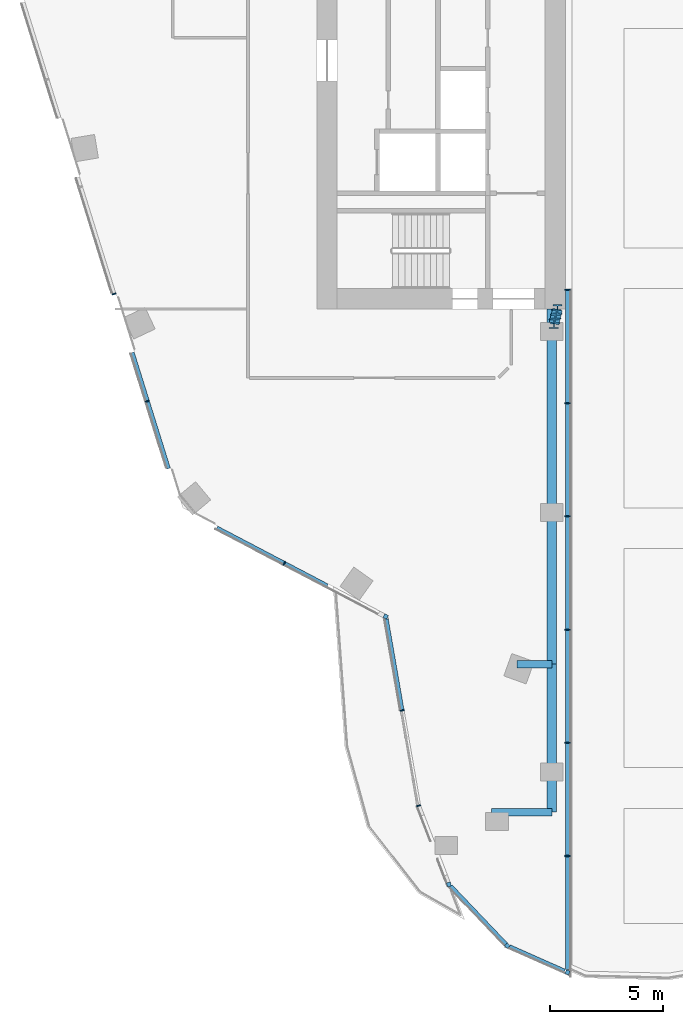
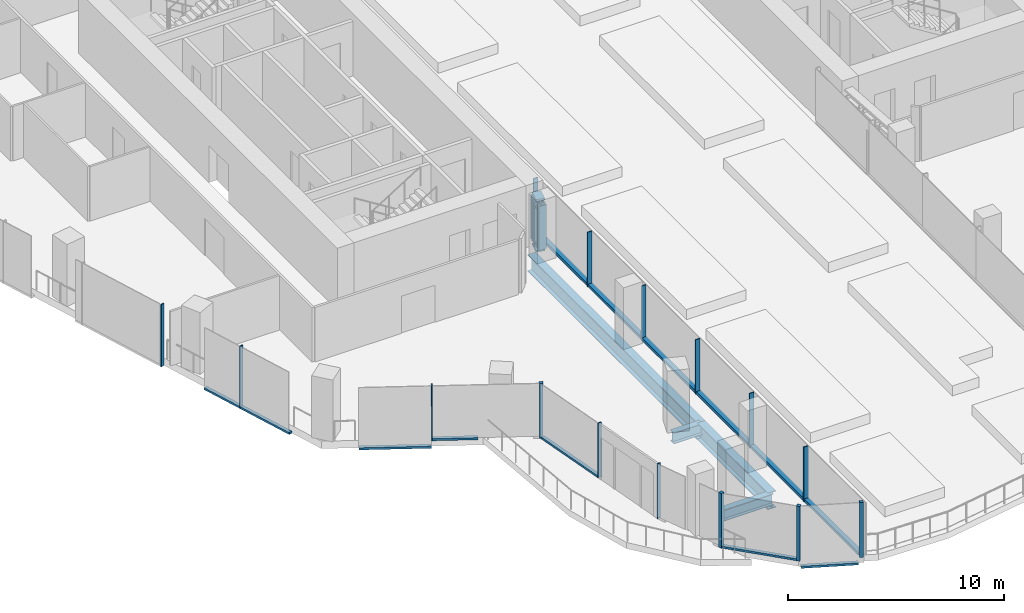
# One storey, part 2 of 26: 28 members, 4 beams, 7 elements without a shape of their own.
"""IFC4 building model written with IfcOpenShell, lengths in metres."""

from ifc_helpers import new_model, si_unit, direction, frame, origin, origin_2d, place, context, subcontext, project, spatial, rectangle, i_section, extrude, material, material_profile, profile_set, type_object, element, aggregate, save


model = new_model("IFC4")

# Units and contexts
model_context = context("Model", 3, precision=1e-05, world=origin(), true_north=direction((0.0, 1.0)))
body_context = subcontext(model_context, "Body", "Model", "MODEL_VIEW")
ifc_project = project(units=[si_unit("LENGTHUNIT", "METRE"), si_unit("AREAUNIT", "SQUARE_METRE"), si_unit("VOLUMEUNIT", "CUBIC_METRE"), si_unit("PLANEANGLEUNIT", "RADIAN"), si_unit("MASSUNIT", "GRAM", prefix="KILO")], contexts=[model_context])

# Site, building, storey
site_placement = place(None, origin())
site = spatial("IfcSite", under=ifc_project, at=site_placement, CompositionType="ELEMENT")
building_placement = place(site_placement, origin())
building = spatial("IfcBuilding", under=site, at=building_placement, Name="Orlundy Tower", CompositionType="ELEMENT")
storey_placement = place(building_placement, frame((0.0, 0.0, 253.5)))
storey = spatial("IfcBuildingStorey", under=building, at=storey_placement, Name="L67", CompositionType="ELEMENT", Elevation=253.5)

# Curtain wall, member
ifc_material_1 = material(Name="Aluminium bronze anodised", Category="aluminium")
curtain_wall_type = type_object("IfcCurtainWallType", Name="CW1 wall", PredefinedType="NOTDEFINED", material=ifc_material_1)
curtain_wall_1_placement = place(storey_placement, origin())
curtain_wall_1 = element("IfcCurtainWall", 1, at=curtain_wall_1_placement, inside=storey, type_object=curtain_wall_type, Name="CW1 run 00", PredefinedType="NOTDEFINED")
ifc_material_2 = material(Name="Aluminium bronze anodised", Category="aluminium")
ifc_material_profile_1 = material_profile(ifc_material_2, rectangle(XDim=0.179931640625, YDim=0.179931640625, at=origin_2d()), Name="CW1 corner post 180x180")
ifc_profile_set_1 = profile_set([ifc_material_profile_1], Name="Aluminium bronze anodised")
member_type_1 = type_object("IfcMemberType", Name="CW1 corner post 180x180", PredefinedType="MULLION", material=ifc_profile_set_1)
member_1_placement = place(storey_placement, frame((-15.9501953125, -25.612060546875, 0.0), z_axis=(0.0, 0.0, 1.0), x_axis=(-0.464324546988, -0.885665125804, 0.0)))
member_1 = element("IfcMember", 2, at=member_1_placement, type_object=member_type_1, Name="CW1 mullion 1", PredefinedType="MULLION", context=body_context, shape_type="SweptSolid", body=[
    extrude(rectangle(XDim=0.179931640625, YDim=0.179931640625, at=origin_2d()), origin(), (0.0, 0.0, 1.0), 3.10009765625),
])

curtain_wall_2_placement = place(storey_placement, origin())
curtain_wall_2 = element("IfcCurtainWall", 3, at=curtain_wall_2_placement, inside=storey, type_object=curtain_wall_type, Name="CW1 run 05", PredefinedType="NOTDEFINED")
member_2_placement = place(storey_placement, frame((-7.909912109375, -41.361328125, 0.0), z_axis=(0.0, 0.0, 1.0), x_axis=(-0.405432387581, -0.914125034719, 0.0)))
member_2 = element("IfcMember", 4, at=member_2_placement, type_object=member_type_1, Name="CW1 mullion 30", PredefinedType="MULLION", context=body_context, shape_type="SweptSolid", body=[
    extrude(rectangle(XDim=0.179931640625, YDim=0.179931640625, at=origin_2d()), origin(), (0.0, 0.0, 1.0), 3.10009765625),
])

curtain_wall_3_placement = place(storey_placement, origin())
curtain_wall_3 = element("IfcCurtainWall", 5, at=curtain_wall_3_placement, inside=storey, type_object=curtain_wall_type, Name="CW1 run 06", PredefinedType="NOTDEFINED")
member_3_placement = place(storey_placement, frame((-10.575927734375, -40.178955078125, 0.0), z_axis=(0.0, 0.0, 1.0), x_axis=(-0.724291875351, -0.689493494749, 0.0)))
member_3 = element("IfcMember", 6, at=member_3_placement, type_object=member_type_1, Name="CW1 mullion 31", PredefinedType="MULLION", context=body_context, shape_type="SweptSolid", body=[
    extrude(rectangle(XDim=0.179931640625, YDim=0.179931640625, at=origin_2d()), origin(), (0.0, 0.0, 1.0), 3.10009765625),
])

curtain_wall_4_placement = place(storey_placement, origin())
curtain_wall_4 = element("IfcCurtainWall", 7, at=curtain_wall_4_placement, inside=storey, type_object=curtain_wall_type, Name="CW1 run 07", PredefinedType="NOTDEFINED")
member_4_placement = place(storey_placement, frame((-13.156494140625, -37.468017578125, 0.0), z_axis=(0.0, 0.0, 1.0), x_axis=(-0.933109013885, -0.359593615358, 0.0)))
member_4 = element("IfcMember", 8, at=member_4_placement, type_object=member_type_1, Name="CW1 mullion 32", PredefinedType="MULLION", context=body_context, shape_type="SweptSolid", body=[
    extrude(rectangle(XDim=0.179931640625, YDim=0.179931640625, at=origin_2d()), origin(), (0.0, 0.0, 1.0), 3.10009765625),
])
aggregate(curtain_wall_4, [member_4])

# Member
ifc_material_3 = material(Name="Aluminium bronze anodised", Category="aluminium")
ifc_material_profile_2 = material_profile(ifc_material_3, rectangle(XDim=0.179931640625, YDim=0.050048828125, at=origin_2d()), Name="CW1 mullion 50x180")
ifc_profile_set_2 = profile_set([ifc_material_profile_2], Name="Aluminium bronze anodised")
member_type_2 = type_object("IfcMemberType", Name="CW1 mullion 50x180", PredefinedType="MULLION", material=ifc_profile_set_2)
member_5_placement = place(storey_placement, frame((-20.44384765625, -23.256103515625, 0.0), z_axis=(0.0, 0.0, 1.0), x_axis=(-0.464324546988, -0.885665125804, 0.0)))
member_5 = element("IfcMember", 9, at=member_5_placement, type_object=member_type_2, Name="CW1 mullion 2", PredefinedType="MULLION", context=body_context, shape_type="SweptSolid", body=[
    extrude(rectangle(XDim=0.179931640625, YDim=0.050048828125, at=origin_2d()), origin(), (0.0, 0.0, 1.0), 3.10009765625),
])

# Curtain wall, members
curtain_wall_5_placement = place(storey_placement, origin())
curtain_wall_5 = element("IfcCurtainWall", 10, at=curtain_wall_5_placement, inside=storey, type_object=curtain_wall_type, Name="CW1 run 01", PredefinedType="NOTDEFINED")
member_6_placement = place(storey_placement, frame((-26.501953125, -16.08203125, -0.419921875), z_axis=(0.0, 0.0, 1.0), x_axis=(-0.954580158408, -0.297954226643, 0.0)))
member_6 = element("IfcMember", 11, at=member_6_placement, type_object=member_type_2, Name="CW1 mullion 4", PredefinedType="MULLION", context=body_context, shape_type="SweptSolid", body=[
    extrude(rectangle(XDim=0.179931640625, YDim=0.050048828125, at=origin_2d()), origin(), (0.0, 0.0, 1.0), 3.52001953125),
])
member_7_placement = place(storey_placement, frame((-27.98291015625, -11.337158203125, -0.419921875), z_axis=(0.0, 0.0, 1.0), x_axis=(-0.954580158408, -0.297954226643, 0.0)))
member_7 = element("IfcMember", 12, at=member_7_placement, type_object=member_type_2, Name="CW1 mullion 5", PredefinedType="MULLION", context=body_context, shape_type="SweptSolid", body=[
    extrude(rectangle(XDim=0.179931640625, YDim=0.050048828125, at=origin_2d()), origin(), (0.0, 0.0, 1.0), 3.52001953125),
])

curtain_wall_6_placement = place(storey_placement, origin())
curtain_wall_6 = element("IfcCurtainWall", 13, at=curtain_wall_6_placement, inside=storey, type_object=curtain_wall_type, Name="CW1 run 08", PredefinedType="NOTDEFINED")
member_8_placement = place(storey_placement, frame((-14.499267578125, -33.984130859375, 0.0), z_axis=(0.0, 0.0, 1.0), x_axis=(-0.963846106573, -0.266459533219, 0.0)))
member_8 = element("IfcMember", 14, at=member_8_placement, type_object=member_type_2, Name="CW1 mullion 33", PredefinedType="MULLION", context=body_context, shape_type="SweptSolid", body=[
    extrude(rectangle(XDim=0.179931640625, YDim=0.050048828125, at=origin_2d()), origin(), (0.0, 0.0, 1.0), 3.10009765625),
])
member_9_placement = place(storey_placement, frame((-15.229248046875, -29.77197265625, 0.0), z_axis=(0.0, 0.0, 1.0), x_axis=(-0.985312227538, -0.170762449807, 0.0)))
member_9 = element("IfcMember", 15, at=member_9_placement, type_object=member_type_2, Name="CW1 mullion 34", PredefinedType="MULLION", context=body_context, shape_type="SweptSolid", body=[
    extrude(rectangle(XDim=0.179931640625, YDim=0.050048828125, at=origin_2d()), origin(), (0.0, 0.0, 1.0), 3.10009765625),
])

# Member
ifc_material_4 = material(Name="Aluminium bronze anodised", Category="aluminium")
ifc_material_profile_3 = material_profile(ifc_material_4, rectangle(XDim=0.179931640625, YDim=0.1201171875, at=origin_2d()), Name="CW1 transom 180x120")
ifc_profile_set_3 = profile_set([ifc_material_profile_3], Name="Aluminium bronze anodised")
member_type_3 = type_object("IfcMemberType", Name="CW1 transom 180x120", PredefinedType="USERDEFINED", material=ifc_profile_set_3)
member_10_placement = place(storey_placement, frame((-18.541748046875, -24.25341796875, 0.06005859375), z_axis=(-0.885658124007, 0.464337902158, 0.0), x_axis=(-0.464337902158, -0.885658124007, 0.0)))
member_10 = element("IfcMember", 16, at=member_10_placement, type_object=member_type_3, Name="CW1 transom", ObjectType="TRANSOM", PredefinedType="USERDEFINED", context=body_context, shape_type="SweptSolid", body=[
    extrude(rectangle(XDim=0.179931640625, YDim=0.1201171875, at=origin_2d()), origin(), (0.0, 0.0, 1.0), 2.12255859375),
])

member_11_placement = place(storey_placement, frame((-20.4658203125, -23.24462890625, -0.360107421875), z_axis=(-0.885648604354, 0.464356059082, 0.0), x_axis=(-0.464356059082, -0.885648604354, 0.0)))
member_11 = element("IfcMember", 17, at=member_11_placement, type_object=member_type_3, Name="CW1 transom", ObjectType="TRANSOM", PredefinedType="USERDEFINED", context=body_context, shape_type="SweptSolid", body=[
    extrude(rectangle(XDim=0.179931640625, YDim=0.1201171875, at=origin_2d()), origin(), (0.0, 0.0, 1.0), 3.344970703125),
])

aggregate(curtain_wall_1, [member_1, member_5, member_10, member_11])

member_12_placement = place(storey_placement, frame((-25.5712890625, -19.0634765625, -0.360107421875), z_axis=(-0.297933777292, 0.954586541047, 0.0), x_axis=(-0.954586541047, -0.297933777292, 0.0)))
member_12 = element("IfcMember", 18, at=member_12_placement, type_object=member_type_3, Name="CW1 transom", ObjectType="TRANSOM", PredefinedType="USERDEFINED", context=body_context, shape_type="SweptSolid", body=[
    extrude(rectangle(XDim=0.179931640625, YDim=0.1201171875, at=origin_2d()), origin(), (0.0, 0.0, 1.0), 5.3779296875),
])

aggregate(curtain_wall_5, [member_6, member_7, member_12])

member_13_placement = place(storey_placement, frame((-8.036376953125, -41.30517578125, -0.360107421875), z_axis=(-0.914145503169, 0.405386234393, 0.0), x_axis=(-0.405386234393, -0.914145503169, 0.0)))
member_13 = element("IfcMember", 19, at=member_13_placement, type_object=member_type_3, Name="CW1 transom", ObjectType="TRANSOM", PredefinedType="USERDEFINED", context=body_context, shape_type="SweptSolid", body=[
    extrude(rectangle(XDim=0.179931640625, YDim=0.1201171875, at=origin_2d()), origin(), (0.0, 0.0, 1.0), 2.6806640625),
])

aggregate(curtain_wall_2, [member_2, member_13])

member_14_placement = place(storey_placement, frame((-10.637939453125, -40.11376953125, 0.06005859375), z_axis=(-0.689485404708, 0.724299576622, 0.0), x_axis=(-0.724299576622, -0.689485404708, 0.0)))
member_14 = element("IfcMember", 20, at=member_14_placement, type_object=member_type_3, Name="CW1 transom", ObjectType="TRANSOM", PredefinedType="USERDEFINED", context=body_context, shape_type="SweptSolid", body=[
    extrude(rectangle(XDim=0.179931640625, YDim=0.1201171875, at=origin_2d()), origin(), (0.0, 0.0, 1.0), 3.555419921875),
])

aggregate(curtain_wall_3, [member_3, member_14])

member_15_placement = place(storey_placement, frame((-15.2333984375, -29.747314453125, 0.06005859375), z_axis=(-0.170755766375, 0.985313385807, 0.0), x_axis=(-0.985313385807, -0.170755766375, 0.0)))
member_15 = element("IfcMember", 21, at=member_15_placement, type_object=member_type_3, Name="CW1 transom", ObjectType="TRANSOM", PredefinedType="USERDEFINED", context=body_context, shape_type="SweptSolid", body=[
    extrude(rectangle(XDim=0.179931640625, YDim=0.1201171875, at=origin_2d()), origin(), (0.0, 0.0, 1.0), 4.08349609375),
])

aggregate(curtain_wall_6, [member_8, member_9, member_15])

# Curtain wall, members
curtain_wall_7_placement = place(storey_placement, origin())
curtain_wall_7 = element("IfcCurtainWall", 22, at=curtain_wall_7_placement, inside=storey, type_object=curtain_wall_type, Name="CW1 run 04", PredefinedType="NOTDEFINED")
ifc_material_5 = material(Name="Aluminium bronze anodised", Category="aluminium")
ifc_material_profile_4 = material_profile(ifc_material_5, rectangle(XDim=0.239990234375, YDim=0.050048828125, at=origin_2d()), Name="CW6 mullion 50x240")
ifc_profile_set_4 = profile_set([ifc_material_profile_4], Name="Aluminium bronze anodised")
member_type_4 = type_object("IfcMemberType", Name="CW6 mullion 50x240", PredefinedType="MULLION", material=ifc_profile_set_4)
member_16_placement = place(storey_placement, frame((-7.909912109375, -11.157470703125, 0.0), z_axis=(0.0, 0.0, 1.0), x_axis=(1.0, 0.0, 0.0)))
member_16 = element("IfcMember", 23, at=member_16_placement, type_object=member_type_4, Name="CW6 mullion 24", PredefinedType="MULLION", context=body_context, shape_type="SweptSolid", body=[
    extrude(rectangle(XDim=0.239990234375, YDim=0.050048828125, at=origin_2d()), origin(), (0.0, 0.0, 1.0), 3.10009765625),
])
member_17_placement = place(storey_placement, frame((-7.909912109375, -16.16845703125, 0.0), z_axis=(0.0, 0.0, 1.0), x_axis=(1.0, 0.0, 0.0)))
member_17 = element("IfcMember", 24, at=member_17_placement, type_object=member_type_4, Name="CW6 mullion 25", PredefinedType="MULLION", context=body_context, shape_type="SweptSolid", body=[
    extrude(rectangle(XDim=0.239990234375, YDim=0.050048828125, at=origin_2d()), origin(), (0.0, 0.0, 1.0), 3.10009765625),
])
member_18_placement = place(storey_placement, frame((-7.909912109375, -21.17919921875, 0.0), z_axis=(0.0, 0.0, 1.0), x_axis=(1.0, 0.0, 0.0)))
member_18 = element("IfcMember", 25, at=member_18_placement, type_object=member_type_4, Name="CW6 mullion 26", PredefinedType="MULLION", context=body_context, shape_type="SweptSolid", body=[
    extrude(rectangle(XDim=0.239990234375, YDim=0.050048828125, at=origin_2d()), origin(), (0.0, 0.0, 1.0), 3.10009765625),
])
member_19_placement = place(storey_placement, frame((-7.909912109375, -26.190185546875, 0.0), z_axis=(0.0, 0.0, 1.0), x_axis=(1.0, 0.0, 0.0)))
member_19 = element("IfcMember", 26, at=member_19_placement, type_object=member_type_4, Name="CW6 mullion 27", PredefinedType="MULLION", context=body_context, shape_type="SweptSolid", body=[
    extrude(rectangle(XDim=0.239990234375, YDim=0.050048828125, at=origin_2d()), origin(), (0.0, 0.0, 1.0), 3.10009765625),
])
member_20_placement = place(storey_placement, frame((-7.909912109375, -31.201171875, 0.0), z_axis=(0.0, 0.0, 1.0), x_axis=(1.0, 0.0, 0.0)))
member_20 = element("IfcMember", 27, at=member_20_placement, type_object=member_type_4, Name="CW6 mullion 28", PredefinedType="MULLION", context=body_context, shape_type="SweptSolid", body=[
    extrude(rectangle(XDim=0.239990234375, YDim=0.050048828125, at=origin_2d()), origin(), (0.0, 0.0, 1.0), 3.10009765625),
])
member_21_placement = place(storey_placement, frame((-7.909912109375, -36.212158203125, 0.0), z_axis=(0.0, 0.0, 1.0), x_axis=(1.0, 0.0, 0.0)))
member_21 = element("IfcMember", 28, at=member_21_placement, type_object=member_type_4, Name="CW6 mullion 29", PredefinedType="MULLION", context=body_context, shape_type="SweptSolid", body=[
    extrude(rectangle(XDim=0.239990234375, YDim=0.050048828125, at=origin_2d()), origin(), (0.0, 0.0, 1.0), 3.10009765625),
])
ifc_material_6 = material(Name="Aluminium bronze anodised", Category="aluminium")
ifc_material_profile_5 = material_profile(ifc_material_6, rectangle(XDim=0.239990234375, YDim=0.159912109375, at=origin_2d()), Name="CW6 transom 240x160")
ifc_profile_set_5 = profile_set([ifc_material_profile_5], Name="Aluminium bronze anodised")
member_type_5 = type_object("IfcMemberType", Name="CW6 transom 240x160", PredefinedType="USERDEFINED", material=ifc_profile_set_5)
member_22_placement = place(storey_placement, frame((-7.8798828125, -11.182373046875, 0.080078125), z_axis=(0.0, -1.0, 0.0), x_axis=(1.0, 0.0, 0.0)))
member_22 = element("IfcMember", 29, at=member_22_placement, type_object=member_type_5, Name="CW6 transom", ObjectType="TRANSOM", PredefinedType="USERDEFINED", context=body_context, shape_type="SweptSolid", body=[
    extrude(rectangle(XDim=0.239990234375, YDim=0.159912109375, at=origin_2d()), origin(), (0.0, 0.0, 1.0), 30.04052734375),
])
aggregate(curtain_wall_7, [member_16, member_17, member_18, member_19, member_20, member_21, member_22])

# Members
ifc_material_7 = material(Name="Steel ASTM A992 Gr 50", Category="steel")
ifc_material_profile_6 = material_profile(ifc_material_7, i_section(OverallWidth=0.43212890625, OverallDepth=0.497802734375, WebThickness=0.0556640625, FlangeThickness=0.0888671875, at=origin_2d()), Name="W14X500")
ifc_profile_set_6 = profile_set([ifc_material_profile_6], Name="Steel ASTM A992 Gr 50")
member_type_6 = type_object("IfcMemberType", Name="PORTAL EDGE TRUSS chord W14X500", PredefinedType="CHORD", material=ifc_profile_set_6)
for number, where, z_axis, x_axis, name in (
    (30, (-8.35009765625, -12.02001953125, 0.284912109375), (-0.247031311842, -0.969007497891, 0.0), (0.969007497891, -0.247031311842, 0.0), "Portal edge truss bottom chord PE-WS"),
    (31, (-8.35009765625, -12.02001953125, 2.765380859375), (-0.247031311842, -0.969007497891, 0.0), (0.969007497891, -0.247031311842, 0.0), "Portal edge truss top chord PE-WS"),
):
    element("IfcMember", number, at=place(storey_placement, frame(where, z_axis=z_axis, x_axis=x_axis)), inside=storey, type_object=member_type_6, Name=name, PredefinedType="CHORD", context=body_context, shape_type="SweptSolid", body=[
        extrude(i_section(OverallWidth=0.43212890625, OverallDepth=0.497802734375, WebThickness=0.0556640625, FlangeThickness=0.0888671875, at=origin_2d()), origin(), (0.0, 0.0, 1.0), 0.6513671875),
    ])
ifc_material_8 = material(Name="Steel ASTM A992 Gr 50", Category="steel")
ifc_material_profile_7 = material_profile(ifc_material_8, i_section(OverallWidth=0.412109375, OverallDepth=0.434814453125, WebThickness=0.035888671875, FlangeThickness=0.057373046875, at=origin_2d()), Name="W14X311")
ifc_profile_set_7 = profile_set([ifc_material_profile_7], Name="Steel ASTM A992 Gr 50")
member_type_7 = type_object("IfcMemberType", Name="PORTAL EDGE TRUSS post W14X311", PredefinedType="POST", material=ifc_profile_set_7)
for number, where, z_axis, x_axis, name in (
    (32, (-8.35009765625, -12.02001953125, 0.284912109375), (0.0, 0.0, 1.0), (1.0, 0.0, 0.0), "Portal edge truss post PE-WS-0"),
    (33, (-8.40380859375, -12.23046875, 0.284912109375), (0.0, 0.0, 1.0), (1.0, 0.0, 0.0), "Portal edge truss post PE-WS-1"),
    (34, (-8.457275390625, -12.44091796875, 0.284912109375), (0.0, 0.0, 1.0), (1.0, 0.0, 0.0), "Portal edge truss post PE-WS-2"),
    (35, (-8.510986328125, -12.651123046875, 0.284912109375), (0.0, 0.0, 1.0), (1.0, 0.0, 0.0), "Portal edge truss post PE-WS-3"),
):
    element("IfcMember", number, at=place(storey_placement, frame(where, z_axis=z_axis, x_axis=x_axis)), inside=storey, type_object=member_type_7, Name=name, PredefinedType="POST", context=body_context, shape_type="SweptSolid", body=[
        extrude(i_section(OverallWidth=0.412109375, OverallDepth=0.434814453125, WebThickness=0.035888671875, FlangeThickness=0.057373046875, at=origin_2d()), origin(), (0.0, 0.0, 1.0), 2.48046875),
    ])

# Beams
ifc_material_9 = material(Name="Steel ASTM A992 Gr 50", Category="steel")
ifc_material_profile_8 = material_profile(ifc_material_9, i_section(OverallWidth=0.3291015625, OverallDepth=0.635009765625, WebThickness=0.017822265625, FlangeThickness=0.031005859375, at=origin_2d()), Name="W24X162")
ifc_profile_set_8 = profile_set([ifc_material_profile_8], Name="Steel ASTM A992 Gr 50")
beam_type_1 = type_object("IfcBeamType", Name="TRANSFER GIRDER beam W24X162", PredefinedType="BEAM", material=ifc_profile_set_8)
beam_1_placement = place(storey_placement, frame((-8.60009765625, -34.27099609375, -0.737548828125), z_axis=(-1.0, 0.0, 0.0), x_axis=(0.0, -1.0, 0.0)))
element("IfcBeam", 36, at=beam_1_placement, inside=storey, type_object=beam_type_1, Name="Transfer stub beam W C-B1-6", PredefinedType="BEAM", context=body_context, shape_type="SweptSolid", body=[
    extrude(i_section(OverallWidth=0.3291015625, OverallDepth=0.635009765625, WebThickness=0.017822265625, FlangeThickness=0.031005859375, at=origin_2d()), origin(), (0.0, 0.0, 1.0), 2.663330078125),
])
beam_2_placement = place(storey_placement, frame((-8.60009765625, -27.71484375, -0.737548828125), z_axis=(-1.0, 0.0, 0.0), x_axis=(0.0, -1.0, 0.0)))
element("IfcBeam", 37, at=beam_2_placement, inside=storey, type_object=beam_type_1, Name="Transfer stub beam W C-H14", PredefinedType="BEAM", context=body_context, shape_type="SweptSolid", body=[
    extrude(i_section(OverallWidth=0.3291015625, OverallDepth=0.635009765625, WebThickness=0.017822265625, FlangeThickness=0.031005859375, at=origin_2d()), origin(), (0.0, 0.0, 1.0), 1.552734375),
])
ifc_material_10 = material(Name="Steel ASTM A992 Gr 50", Category="steel")
ifc_material_profile_9 = material_profile(ifc_material_10, i_section(OverallWidth=0.423095703125, OverallDepth=0.947265625, WebThickness=0.02392578125, FlangeThickness=0.042724609375, at=origin_2d()), Name="W36X302")
ifc_profile_set_9 = profile_set([ifc_material_profile_9], Name="Steel ASTM A992 Gr 50")
beam_type_2 = type_object("IfcBeamType", Name="TRANSFER GIRDER beam W36X302", PredefinedType="BEAM", material=ifc_profile_set_9)
beam_3_placement = place(storey_placement, frame((-8.60009765625, -34.27099609375, -0.8935546875), z_axis=(0.0, 1.0, 0.0), x_axis=(-1.0, 0.0, 0.0)))
element("IfcBeam", 38, at=beam_3_placement, inside=storey, type_object=beam_type_2, Name="Transfer girder slot edge W1", PredefinedType="BEAM", context=body_context, shape_type="SweptSolid", body=[
    extrude(i_section(OverallWidth=0.423095703125, OverallDepth=0.947265625, WebThickness=0.02392578125, FlangeThickness=0.042724609375, at=origin_2d()), origin(), (0.0, 0.0, 1.0), 6.555908203125),
])
beam_4_placement = place(storey_placement, frame((-8.60009765625, -27.715087890625, -0.8935546875), z_axis=(0.0, 1.0, 0.0), x_axis=(-1.0, 0.0, 0.0)))
element("IfcBeam", 39, at=beam_4_placement, inside=storey, type_object=beam_type_2, Name="Transfer girder slot edge W2", PredefinedType="BEAM", context=body_context, shape_type="SweptSolid", body=[
    extrude(i_section(OverallWidth=0.423095703125, OverallDepth=0.947265625, WebThickness=0.02392578125, FlangeThickness=0.042724609375, at=origin_2d()), origin(), (0.0, 0.0, 1.0), 15.715087890625),
])

save(model, "model.ifc")
